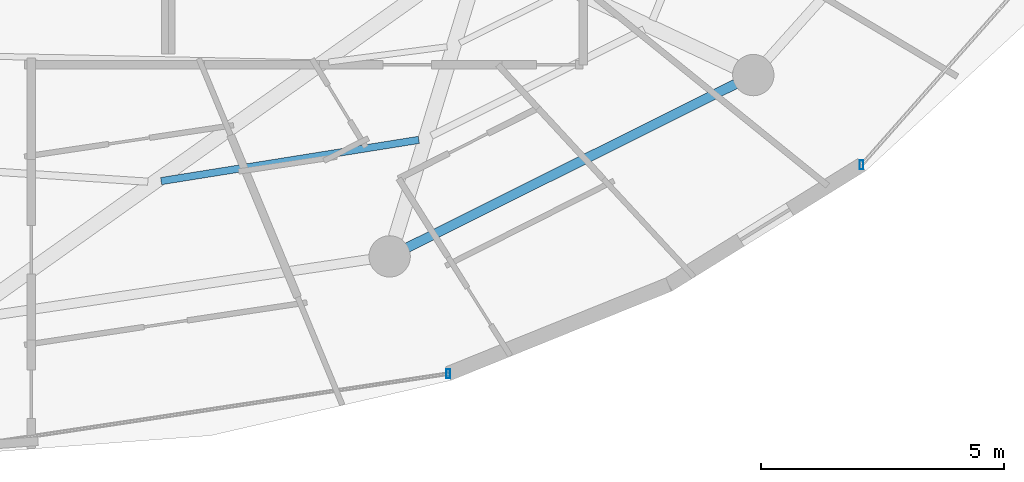
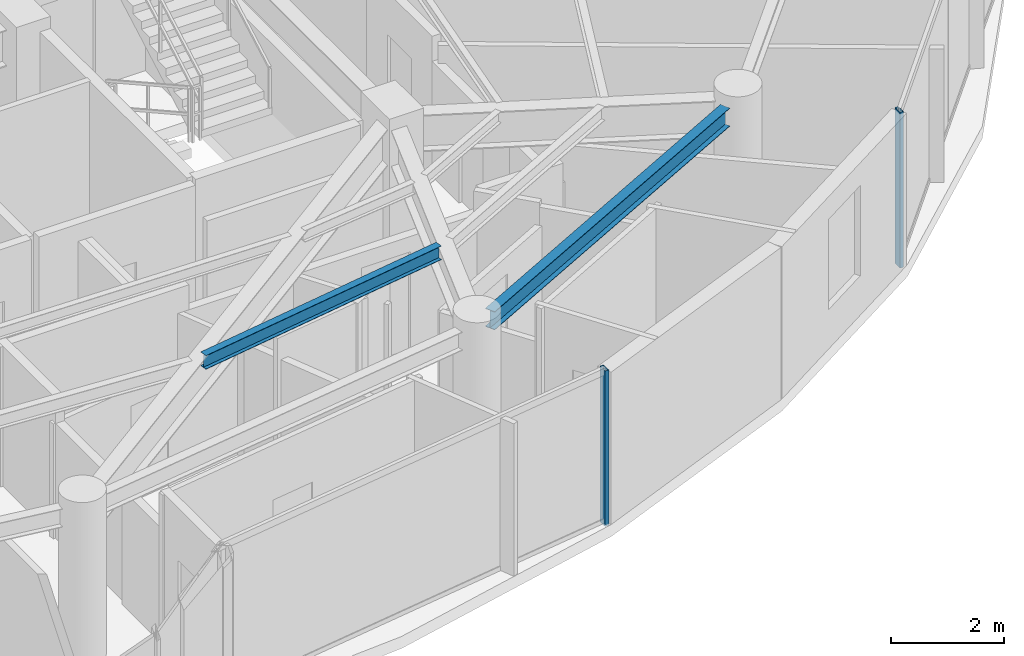
# One storey, part 11 of 31: 2 beams, 2 members, 2 elements without a shape of their own.
"""IFC4 building model written with IfcOpenShell, lengths in metres."""

from ifc_helpers import new_model, si_unit, direction, frame, origin, origin_2d, place, context, subcontext, project, spatial, hollow_rectangle, i_section, extrude, material, material_profile, profile_set, type_object, element, aggregate, save


model = new_model("IFC4")

# Units and contexts
model_context = context("Model", 3, precision=1e-05, world=origin(), true_north=direction((0.0, 1.0)))
body_context = subcontext(model_context, "Body", "Model", "MODEL_VIEW")
ifc_project = project(units=[si_unit("LENGTHUNIT", "METRE"), si_unit("AREAUNIT", "SQUARE_METRE"), si_unit("VOLUMEUNIT", "CUBIC_METRE"), si_unit("PLANEANGLEUNIT", "RADIAN"), si_unit("MASSUNIT", "GRAM", prefix="KILO")], contexts=[model_context])

# Site, building, storey
site_placement = place(None, origin())
site = spatial("IfcSite", under=ifc_project, at=site_placement, CompositionType="ELEMENT")
building_placement = place(site_placement, origin())
building = spatial("IfcBuilding", under=site, at=building_placement, Name="Vorneva Point Tower", CompositionType="ELEMENT")
storey_placement = place(building_placement, frame((0.0, 0.0, 248.449951171875)))
storey = spatial("IfcBuildingStorey", under=building, at=storey_placement, Name="L67", CompositionType="ELEMENT", Elevation=248.449951171875)

# Beams
ifc_material_1 = material(Name="Steel S355", Category="steel")
ifc_material_profile_1 = material_profile(ifc_material_1, i_section(OverallWidth=0.14892578125, OverallDepth=0.298095703125, WebThickness=0.005615234375, FlangeThickness=0.008056640625, at=origin_2d()), Name="30B1")
ifc_profile_set_1 = profile_set([ifc_material_profile_1], Name="Steel S355")
beam_type_1 = type_object("IfcBeamType", Name="BM-JST-30B1", PredefinedType="JOIST", material=ifc_profile_set_1)
beam_1_placement = place(storey_placement, frame((42.121826171875, 11.658203125, 3.14111328125), z_axis=(0.987444038717, 0.157969207134, 0.0), x_axis=(-0.157969207134, 0.987444038717, 0.0)))
element("IfcBeam", 1, at=beam_1_placement, inside=storey, type_object=beam_type_1, Name="L67 Secondary Floor Beam 1.13", PredefinedType="JOIST", context=body_context, shape_type="SweptSolid", body=[
    extrude(i_section(OverallWidth=0.14892578125, OverallDepth=0.298095703125, WebThickness=0.005615234375, FlangeThickness=0.008056640625, at=origin_2d()), origin(), (0.0, 0.0, 1.0), 5.365966796875),
])
ifc_material_profile_2 = material_profile(ifc_material_1, i_section(OverallWidth=0.198974609375, OverallDepth=0.39599609375, WebThickness=0.007080078125, FlangeThickness=0.010986328125, at=origin_2d()), Name="40B1")
ifc_profile_set_2 = profile_set([ifc_material_profile_2], Name="Steel S355")
beam_type_2 = type_object("IfcBeamType", Name="BM-SPN-40B1", PredefinedType="SPANDREL", material=ifc_profile_set_2)
beam_2_placement = place(storey_placement, frame((47.187744140625, 10.292236328125, 3.092041015625), z_axis=(0.894932011528, 0.446202526599, 0.0), x_axis=(-0.446202526599, 0.894932011528, 0.0)))
element("IfcBeam", 2, at=beam_2_placement, inside=storey, type_object=beam_type_2, Name="L67 Perimeter Spandrel Ring Beam 14", PredefinedType="SPANDREL", context=body_context, shape_type="SweptSolid", body=[
    extrude(i_section(OverallWidth=0.198974609375, OverallDepth=0.39599609375, WebThickness=0.007080078125, FlangeThickness=0.010986328125, at=origin_2d()), origin(), (0.0, 0.0, 1.0), 7.535888671875),
])

# Curtain wall, member
ifc_material_2 = material(Name="Pale anodised aluminium", Category="aluminium")
curtain_wall_type = type_object("IfcCurtainWallType", Name="CW-RES-SYS", PredefinedType="NOTDEFINED", material=ifc_material_2)
curtain_wall_1_placement = place(storey_placement, origin())
curtain_wall_1 = element("IfcCurtainWall", 3, at=curtain_wall_1_placement, inside=storey, type_object=curtain_wall_type, Name="L67 Unitised Curtain Wall CW-L67-R01", PredefinedType="NOTDEFINED")
ifc_material_profile_3 = material_profile(ifc_material_2, hollow_rectangle(XDim=0.074951171875, YDim=0.179931640625, WallThickness=0.00390625, at=origin_2d()), Name="AL-MUL 180x75x4")
ifc_profile_set_3 = profile_set([ifc_material_profile_3], Name="Pale anodised aluminium")
member_type = type_object("IfcMemberType", Name="CW-MUL-180", PredefinedType="MULLION", material=ifc_profile_set_3)
member_1_placement = place(storey_placement, frame((56.526123046875, 11.9921875, -0.0400390625), z_axis=(0.0, 0.0, 1.0), x_axis=(1.0, 0.0, 0.0)))
member_1 = element("IfcMember", 4, at=member_1_placement, type_object=member_type, Name="CW-L67-R01 Mullion 01", PredefinedType="MULLION", context=body_context, shape_type="SweptSolid", body=[
    extrude(hollow_rectangle(XDim=0.074951171875, YDim=0.179931640625, WallThickness=0.00390625, at=origin_2d()), origin(), (0.0, 0.0, 1.0), 3.360107421875),
])
aggregate(curtain_wall_1, [member_1])

curtain_wall_2_placement = place(storey_placement, origin())
curtain_wall_2 = element("IfcCurtainWall", 5, at=curtain_wall_2_placement, inside=storey, type_object=curtain_wall_type, Name="L67 Unitised Curtain Wall CW-L67-R04", PredefinedType="NOTDEFINED")
member_2_placement = place(storey_placement, frame((48.0263671875, 7.697998046875, -0.0400390625), z_axis=(0.0, 0.0, 1.0), x_axis=(1.0, 0.0, 0.0)))
member_2 = element("IfcMember", 6, at=member_2_placement, type_object=member_type, Name="CW-L67-R04 Mullion 03", PredefinedType="MULLION", context=body_context, shape_type="SweptSolid", body=[
    extrude(hollow_rectangle(XDim=0.074951171875, YDim=0.179931640625, WallThickness=0.00390625, at=origin_2d()), origin(), (0.0, 0.0, 1.0), 3.360107421875),
])
aggregate(curtain_wall_2, [member_2])

save(model, "model.ifc")
